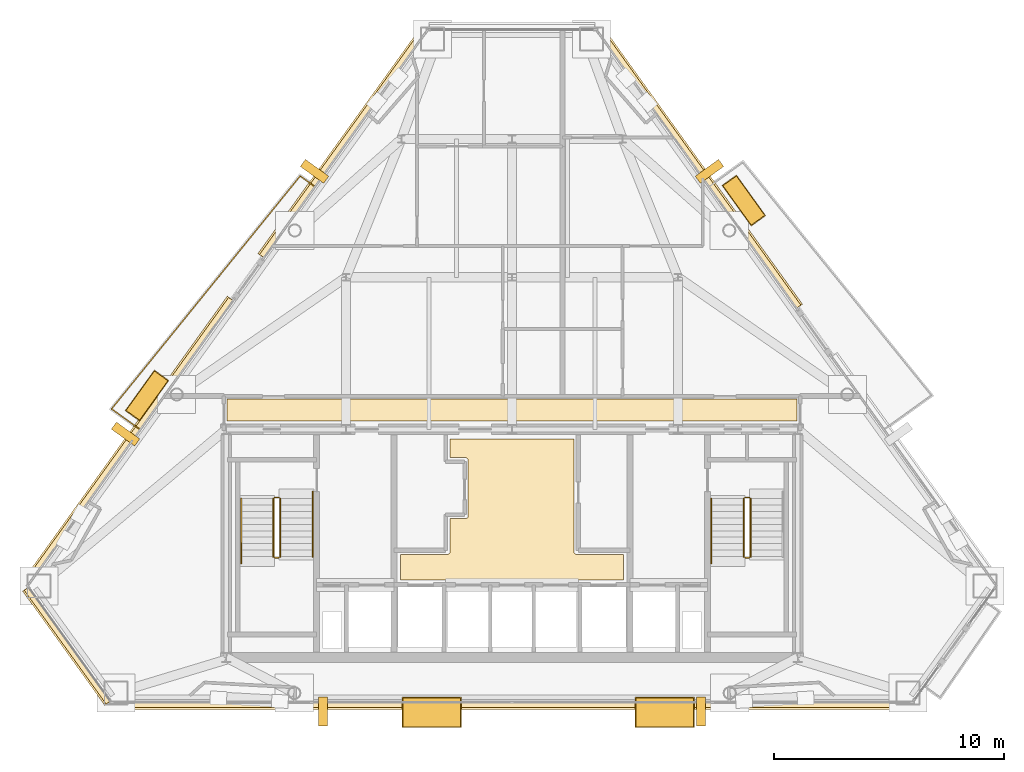
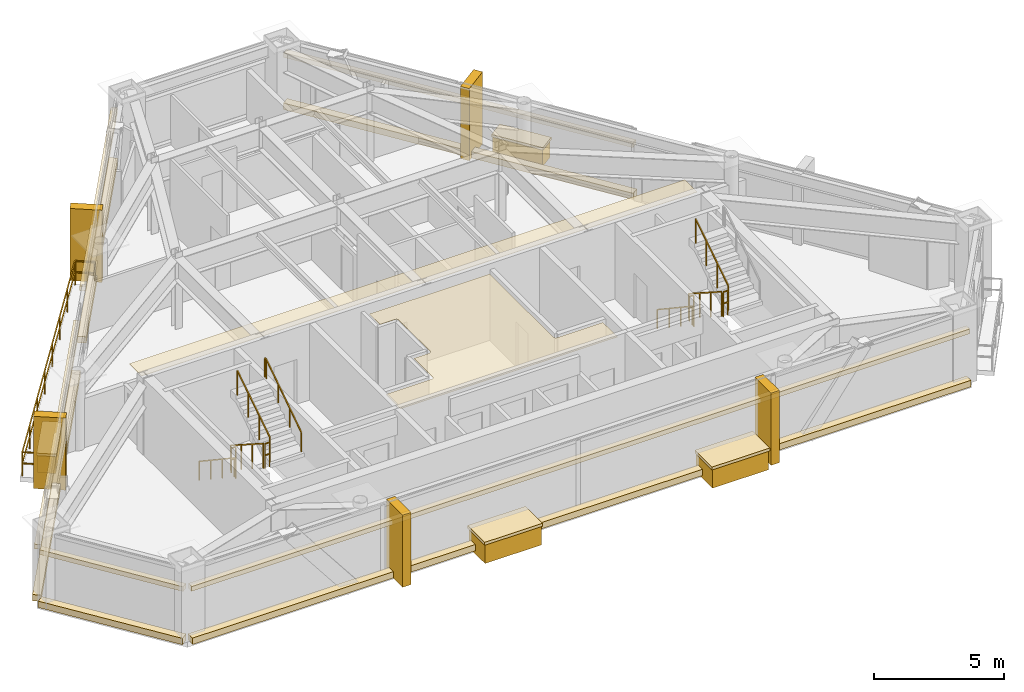
# One storey, part 10 of 11: 25 coverings, 12 railings.
"""IFC4 building model written with IfcOpenShell, lengths in metres."""

from ifc_helpers import new_model, si_unit, direction, frame, origin, origin_2d, place, context, subcontext, project, spatial, polyline, rectangle, outline, extrude, material, layer, layer_set, type_object, element, save


model = new_model("IFC4")

# Units and contexts
model_context = context("Model", 3, precision=1e-05, world=origin(), true_north=direction((0.0, 1.0)))
body_context = subcontext(model_context, "Body", "Model", "MODEL_VIEW")
ifc_project = project(units=[si_unit("LENGTHUNIT", "METRE"), si_unit("AREAUNIT", "SQUARE_METRE"), si_unit("VOLUMEUNIT", "CUBIC_METRE"), si_unit("PLANEANGLEUNIT", "RADIAN"), si_unit("MASSUNIT", "GRAM", prefix="KILO")], contexts=[model_context])

# Site, building, storey
site_placement = place(None, origin())
site = spatial("IfcSite", under=ifc_project, at=site_placement, CompositionType="ELEMENT")
building_placement = place(site_placement, origin())
building = spatial("IfcBuilding", under=site, at=building_placement, Name="Talgorran Terracotta Tower", CompositionType="ELEMENT")
storey_placement = place(building_placement, frame((0.0, 0.0, 200.10009765625)))
storey = spatial("IfcBuildingStorey", under=building, at=storey_placement, Name="L52", CompositionType="ELEMENT", Elevation=200.10009765625)

# Coverings
ifc_material_1 = material(Name="Kiln-Fired Terracotta Ochre Ceramic", Category="masonry")
ifc_layer_1 = layer(ifc_material_1, 0.179931640625, Name="COV_BAGUETTE_TERRACOTTA_SCREEN")
ifc_layer_set_1 = layer_set([ifc_layer_1], Name="Kiln-Fired Terracotta Ochre Ceramic")
covering_type_1 = type_object("IfcCoveringType", Name="COV_BAGUETTE_TERRACOTTA_SCREEN", PredefinedType="CLADDING", material=ifc_layer_set_1)
covering_1_placement = place(storey_placement, frame((-19.281982421875, -13.574951171875, 2.41015625), z_axis=(0.0, 0.0, 1.0), x_axis=(0.583980505394, -0.811767681864, 0.0)))
element("IfcCovering", 1, at=covering_1_placement, inside=storey, type_object=covering_type_1, Name="L52 Terracotta Baguette Solar Screen Assembly F0", PredefinedType="CLADDING", context=body_context, shape_type="SweptSolid", body=[
    extrude(rectangle(XDim=6.07958984375, YDim=0.260009765625, at=origin_2d()), origin(), (0.0, 0.0, 1.0), 0.219970703125),
])
covering_2_placement = place(storey_placement, frame((0.0, -16.14111328125, 2.41015625), z_axis=(0.0, 0.0, 1.0), x_axis=(1.0, 0.0, 0.0)))
element("IfcCovering", 2, at=covering_2_placement, inside=storey, type_object=covering_type_1, Name="L52 Terracotta Baguette Solar Screen Assembly F1", PredefinedType="CLADDING", context=body_context, shape_type="SweptSolid", body=[
    extrude(rectangle(XDim=34.62939453125, YDim=0.260009765625, at=origin_2d()), origin(), (0.0, 0.0, 1.0), 0.219970703125),
])
covering_3_placement = place(storey_placement, frame((8.115478515625, 7.112548828125, 2.41015625), z_axis=(0.0, 0.0, 1.0), x_axis=(-0.583980505394, 0.811767681864, 0.0)))
element("IfcCovering", 3, at=covering_3_placement, inside=storey, type_object=covering_type_1, Name="L52 Terracotta Baguette Solar Screen Assembly F41", PredefinedType="CLADDING", context=body_context, shape_type="SweptSolid", body=[
    extrude(rectangle(XDim=14.771240234375, YDim=0.260009765625, at=origin_2d()), origin(), (0.0, 0.0, 1.0), 0.219970703125),
])
covering_4_placement = place(storey_placement, frame((-7.324951171875, 8.21142578125, 2.41015625), z_axis=(0.0, 0.0, 1.0), x_axis=(-0.583980505394, -0.811767681864, 0.0)))
element("IfcCovering", 4, at=covering_4_placement, inside=storey, type_object=covering_type_1, Name="L52 Terracotta Baguette Solar Screen Assembly F60", PredefinedType="CLADDING", context=body_context, shape_type="SweptSolid", body=[
    extrude(rectangle(XDim=12.0634765625, YDim=0.260009765625, at=origin_2d()), origin(), (0.0, 0.0, 1.0), 0.219970703125),
])
covering_5_placement = place(storey_placement, frame((-16.6123046875, -4.6982421875, 2.41015625), z_axis=(0.0, 0.0, 1.0), x_axis=(-0.583980505394, -0.811767681864, 0.0)))
element("IfcCovering", 5, at=covering_5_placement, inside=storey, type_object=covering_type_1, Name="L52 Terracotta Baguette Solar Screen Assembly F61", PredefinedType="CLADDING", context=body_context, shape_type="SweptSolid", body=[
    extrude(rectangle(XDim=15.142822265625, YDim=0.260009765625, at=origin_2d()), origin(), (0.0, 0.0, 1.0), 0.219970703125),
])
ifc_material_2 = material(Name="Mineral Fibre Acoustic Tile")
ifc_layer_2 = layer(ifc_material_2, 0.02490234375, Name="COV_CEIL_ACOUSTIC")
ifc_layer_set_2 = layer_set([ifc_layer_2], Name="Mineral Fibre Acoustic Tile")
covering_type_2 = type_object("IfcCoveringType", Name="COV_CEIL_ACOUSTIC", PredefinedType="CEILING", material=ifc_layer_set_2)
covering_6_placement = place(storey_placement, frame((0.0, 0.0, 3.2548828125)))
element("IfcCovering", 6, at=covering_6_placement, inside=storey, type_object=covering_type_2, Name="CEIL-L52-2", PredefinedType="CEILING", context=body_context, shape_type="SweptSolid", body=[
    extrude(outline(polyline([(-12.364990234375, -2.885009765625), (12.364990234375, -2.885009765625), (12.364990234375, -3.830078125), (12.169921875, -3.830078125), (12.158203125, -3.83056640625), (12.146484375, -3.832275390625), (12.13525390625, -3.835205078125), (12.1240234375, -3.839111328125), (12.11328125, -3.84423828125), (12.112060546875, -3.844970703125), (7.432861328125, -3.844970703125), (6.968017578125, -3.843017578125), (6.967529296875, -3.843017578125), (0.232666015625, -3.844970703125), (-0.23193359375, -3.843017578125), (-0.232421875, -3.843017578125), (-6.96728515625, -3.844970703125), (-7.431884765625, -3.843017578125), (-7.4326171875, -3.843017578125), (-12.112060546875, -3.844970703125), (-12.11328125, -3.84423828125), (-12.1240234375, -3.839111328125), (-12.13525390625, -3.835205078125), (-12.146484375, -3.832275390625), (-12.158203125, -3.83056640625), (-12.169921875, -3.830078125), (-12.364990234375, -3.830078125), (-12.364990234375, -2.885009765625)])), origin(), (0.0, 0.0, 1.0), 0.02001953125),
])
ifc_material_3 = material(Name="Flush Moisture-Resistant Plaster")
ifc_layer_3 = layer(ifc_material_3, 0.01806640625, Name="COV_CEIL_PLASTER")
ifc_layer_set_3 = layer_set([ifc_layer_3], Name="Flush Moisture-Resistant Plaster")
covering_type_3 = type_object("IfcCoveringType", Name="COV_CEIL_PLASTER", PredefinedType="CEILING", material=ifc_layer_set_3)
covering_7_placement = place(storey_placement, frame((0.0, 0.0, 3.2548828125)))
element("IfcCovering", 7, at=covering_7_placement, inside=storey, type_object=covering_type_3, Name="CEIL-L52-1", PredefinedType="CEILING", context=body_context, shape_type="SweptSolid", body=[
    extrude(outline(polyline([(2.679931640625, -4.6201171875), (2.679931640625, -9.5), (2.6806640625, -9.51171875), (2.682373046875, -9.5234375), (2.685302734375, -9.534912109375), (2.689208984375, -9.5458984375), (2.694091796875, -9.556640625), (2.7001953125, -9.566650390625), (2.707275390625, -9.576171875), (2.715087890625, -9.5849609375), (2.723876953125, -9.5927734375), (2.7333984375, -9.599853515625), (2.743408203125, -9.605712890625), (2.754150390625, -9.61083984375), (2.76513671875, -9.61474609375), (2.776611328125, -9.61767578125), (2.7880859375, -9.619384765625), (2.800048828125, -9.6201171875), (4.830078125, -9.6201171875), (4.830078125, -10.72998046875), (-4.830078125, -10.72998046875), (-4.830078125, -9.6201171875), (-2.800048828125, -9.6201171875), (-2.7880859375, -9.619384765625), (-2.776611328125, -9.61767578125), (-2.76513671875, -9.61474609375), (-2.754150390625, -9.61083984375), (-2.743408203125, -9.605712890625), (-2.7333984375, -9.599853515625), (-2.723876953125, -9.5927734375), (-2.715087890625, -9.5849609375), (-2.707275390625, -9.576171875), (-2.7001953125, -9.566650390625), (-2.694091796875, -9.556640625), (-2.689208984375, -9.5458984375), (-2.685302734375, -9.534912109375), (-2.682373046875, -9.5234375), (-2.6806640625, -9.51171875), (-2.679931640625, -9.5), (-2.679931640625, -8.070068359375), (-2.02001953125, -8.070068359375), (-2.00830078125, -8.0693359375), (-1.99658203125, -8.067626953125), (-1.985107421875, -8.064697265625), (-1.97412109375, -8.060791015625), (-1.96337890625, -8.055908203125), (-1.953369140625, -8.0498046875), (-1.94384765625, -8.042724609375), (-1.93505859375, -8.034912109375), (-1.92724609375, -8.026123046875), (-1.920166015625, -8.0166015625), (-1.914306640625, -8.006591796875), (-1.9091796875, -7.995849609375), (-1.9052734375, -7.98486328125), (-1.90234375, -7.973388671875), (-1.900634765625, -7.9619140625), (-1.89990234375, -7.949951171875), (-1.89990234375, -5.550048828125), (-1.900634765625, -5.5380859375), (-1.90234375, -5.526611328125), (-1.9052734375, -5.51513671875), (-1.9091796875, -5.504150390625), (-1.914306640625, -5.493408203125), (-1.920166015625, -5.4833984375), (-1.92724609375, -5.473876953125), (-1.93505859375, -5.465087890625), (-1.94384765625, -5.457275390625), (-1.953369140625, -5.4501953125), (-1.96337890625, -5.444091796875), (-1.97412109375, -5.439208984375), (-1.985107421875, -5.435302734375), (-1.99658203125, -5.432373046875), (-2.00830078125, -5.4306640625), (-2.02001953125, -5.429931640625), (-2.679931640625, -5.429931640625), (-2.679931640625, -4.6201171875), (2.679931640625, -4.6201171875)])), origin(), (0.0, 0.0, 1.0), 0.02001953125),
])
ifc_material_4 = material(Name="Honed Limestone and Terracotta Planter", Category="masonry")
ifc_layer_4 = layer(ifc_material_4, 0.1201171875, Name="COV_PLANTER_BOX")
ifc_layer_set_4 = layer_set([ifc_layer_4], Name="Honed Limestone and Terracotta Planter")
covering_type_4 = type_object("IfcCoveringType", Name="COV_PLANTER_BOX", PredefinedType="CLADDING", material=ifc_layer_set_4)
for number, where, z_axis, x_axis, name in (
    (8, (6.629638671875, -16.481201171875, -0.18017578125), (0.0, 0.0, 1.0), (1.0, 0.0, 0.0), "L52 Staggered South Facade Planter Box 1"),
    (9, (-3.4892578125, -16.481201171875, -0.18017578125), (0.0, 0.0, 1.0), (1.0, 0.0, 0.0), "L52 Staggered South Facade Planter Box 2"),
):
    element("IfcCovering", number, at=place(storey_placement, frame(where, z_axis=z_axis, x_axis=x_axis)), inside=storey, type_object=covering_type_4, Name=name, PredefinedType="CLADDING", context=body_context, shape_type="SweptSolid", body=[
        extrude(rectangle(XDim=2.5, YDim=1.25, at=origin_2d()), origin(), (0.0, 0.0, 1.0), 0.919921875),
    ])
for number, where, z_axis, x_axis, name in (
    (10, (10.05908203125, 5.7294921875, -0.02001953125), (0.0, 0.0, 1.0), (-0.583980505394, 0.811767681864, 0.0), "L52 Staggered Balcony Planter Box BAL-NE"),
    (11, (-15.838134765625, -2.7333984375, -0.02001953125), (0.0, 0.0, 1.0), (-0.583980505394, -0.811767681864, 0.0), "L52 Staggered Balcony Planter Box BAL-NW"),
):
    element("IfcCovering", number, at=place(storey_placement, frame(where, z_axis=z_axis, x_axis=x_axis)), inside=storey, type_object=covering_type_4, Name=name, PredefinedType="CLADDING", context=body_context, shape_type="SweptSolid", body=[
        extrude(rectangle(XDim=2.10009765625, YDim=0.719970703125, at=origin_2d()), origin(), (0.0, 0.0, 1.0), 0.860107421875),
    ])
ifc_material_5 = material(Name="Kiln-Fired Terracotta Planter Rim", Category="masonry")
ifc_layer_5 = layer(ifc_material_5, 0.10009765625, Name="COV_PLANTER_RIM")
ifc_layer_set_5 = layer_set([ifc_layer_5], Name="Kiln-Fired Terracotta Planter Rim")
covering_type_5 = type_object("IfcCoveringType", Name="COV_PLANTER_RIM", PredefinedType="CLADDING", material=ifc_layer_set_5)
for number, where, z_axis, x_axis, name in (
    (12, (6.629638671875, -16.481201171875, 0.7099609375), (0.0, 0.0, 1.0), (1.0, 0.0, 0.0), "L52 South Planter Terracotta Rim 1"),
    (13, (-3.4892578125, -16.481201171875, 0.7099609375), (0.0, 0.0, 1.0), (1.0, 0.0, 0.0), "L52 South Planter Terracotta Rim 2"),
):
    element("IfcCovering", number, at=place(storey_placement, frame(where, z_axis=z_axis, x_axis=x_axis)), inside=storey, type_object=covering_type_5, Name=name, PredefinedType="CLADDING", context=body_context, shape_type="SweptSolid", body=[
        extrude(rectangle(XDim=2.580078125, YDim=1.320068359375, at=origin_2d()), origin(), (0.0, 0.0, 1.0), 0.139892578125),
    ])
for number, where, z_axis, x_axis, name in (
    (14, (10.05908203125, 5.7294921875, 0.7998046875), (0.0, 0.0, 1.0), (-0.583980505394, 0.811767681864, 0.0), "L52 Balcony Planter Terracotta Rim BAL-NE"),
    (15, (-15.838134765625, -2.7333984375, 0.7998046875), (0.0, 0.0, 1.0), (-0.583980505394, -0.811767681864, 0.0), "L52 Balcony Planter Terracotta Rim BAL-NW"),
):
    element("IfcCovering", number, at=place(storey_placement, frame(where, z_axis=z_axis, x_axis=x_axis)), inside=storey, type_object=covering_type_5, Name=name, PredefinedType="CLADDING", context=body_context, shape_type="SweptSolid", body=[
        extrude(rectangle(XDim=2.179931640625, YDim=0.780029296875, at=origin_2d()), origin(), (0.0, 0.0, 1.0), 0.1201171875),
    ])
ifc_material_6 = material(Name="Honed Limestone Cladding", Category="masonry")
ifc_layer_6 = layer(ifc_material_6, 0.094970703125, Name="COV_PORTAL_LIME")
ifc_layer_set_6 = layer_set([ifc_layer_6], Name="Honed Limestone Cladding")
covering_type_6 = type_object("IfcCoveringType", Name="COV_PORTAL_LIME", PredefinedType="CLADDING", material=ifc_layer_set_6)
covering_8_placement = place(storey_placement, frame((-19.314453125, -13.598388671875, -0.0400390625), z_axis=(0.0, 0.0, 1.0), x_axis=(0.583980505394, -0.811767681864, 0.0)))
element("IfcCovering", 16, at=covering_8_placement, inside=storey, type_object=covering_type_6, Name="L52 Striped Postmodern Portal Cladding Band F0", PredefinedType="CLADDING", context=body_context, shape_type="SweptSolid", body=[
    extrude(rectangle(XDim=6.099609375, YDim=0.340087890625, at=origin_2d()), origin(), (0.0, 0.0, 1.0), 0.300048828125),
])
covering_9_placement = place(storey_placement, frame((0.0, -16.18115234375, -0.0400390625), z_axis=(0.0, 0.0, 1.0), x_axis=(1.0, 0.0, 0.0)))
element("IfcCovering", 17, at=covering_9_placement, inside=storey, type_object=covering_type_6, Name="L52 Striped Postmodern Portal Cladding Band F1", PredefinedType="CLADDING", context=body_context, shape_type="SweptSolid", body=[
    extrude(rectangle(XDim=34.6494140625, YDim=0.340087890625, at=origin_2d()), origin(), (0.0, 0.0, 1.0), 0.300048828125),
])
covering_10_placement = place(storey_placement, frame((8.148193359375, 7.135986328125, -0.0400390625), z_axis=(0.0, 0.0, 1.0), x_axis=(-0.583980505394, 0.811767681864, 0.0)))
element("IfcCovering", 18, at=covering_10_placement, inside=storey, type_object=covering_type_6, Name="L52 Striped Postmodern Portal Cladding Band F41", PredefinedType="CLADDING", context=body_context, shape_type="SweptSolid", body=[
    extrude(rectangle(XDim=14.791259765625, YDim=0.340087890625, at=origin_2d()), origin(), (0.0, 0.0, 1.0), 0.300048828125),
])
covering_11_placement = place(storey_placement, frame((-7.357421875, 8.23486328125, -0.0400390625), z_axis=(0.0, 0.0, 1.0), x_axis=(-0.583980505394, -0.811767681864, 0.0)))
element("IfcCovering", 19, at=covering_11_placement, inside=storey, type_object=covering_type_6, Name="L52 Striped Postmodern Portal Cladding Band F60", PredefinedType="CLADDING", context=body_context, shape_type="SweptSolid", body=[
    extrude(rectangle(XDim=12.08349609375, YDim=0.340087890625, at=origin_2d()), origin(), (0.0, 0.0, 1.0), 0.300048828125),
])
covering_12_placement = place(storey_placement, frame((-16.644775390625, -4.6748046875, -0.0400390625), z_axis=(0.0, 0.0, 1.0), x_axis=(-0.583980505394, -0.811767681864, 0.0)))
element("IfcCovering", 20, at=covering_12_placement, inside=storey, type_object=covering_type_6, Name="L52 Striped Postmodern Portal Cladding Band F61", PredefinedType="CLADDING", context=body_context, shape_type="SweptSolid", body=[
    extrude(rectangle(XDim=15.162841796875, YDim=0.340087890625, at=origin_2d()), origin(), (0.0, 0.0, 1.0), 0.300048828125),
])
for number, where, z_axis, x_axis, name in (
    (21, (8.19970703125, -16.441162109375, -0.050048828125), (0.0, 0.0, 1.0), (1.0, 0.0, 0.0), "L52 White Striped Portal Fin F1-2"),
    (22, (8.569091796875, 6.995849609375, -0.050048828125), (0.0, 0.0, 1.0), (-0.583980505394, 0.811767681864, 0.0), "L52 White Striped Portal Fin F3-2"),
    (23, (-16.768798828125, -4.402099609375, -0.050048828125), (0.0, 0.0, 1.0), (-0.583980505394, -0.811767681864, 0.0), "L52 White Striped Portal Fin F5-2"),
):
    element("IfcCovering", number, at=place(storey_placement, frame(where, z_axis=z_axis, x_axis=x_axis)), inside=storey, type_object=covering_type_6, Name=name, PredefinedType="CLADDING", context=body_context, shape_type="SweptSolid", body=[
        extrude(rectangle(XDim=0.3798828125, YDim=1.25, at=origin_2d()), origin(), (0.0, 0.0, 1.0), 3.39501953125),
    ])
ifc_material_7 = material(Name="Kiln-Fired Terracotta Cladding", Category="masonry")
ifc_layer_7 = layer(ifc_material_7, 0.090087890625, Name="COV_PORTAL_TERRA")
ifc_layer_set_7 = layer_set([ifc_layer_7], Name="Kiln-Fired Terracotta Cladding")
covering_type_7 = type_object("IfcCoveringType", Name="COV_PORTAL_TERRA", PredefinedType="CLADDING", material=ifc_layer_set_7)
for number, where, z_axis, x_axis, name in (
    (24, (-8.19970703125, -16.441162109375, -0.050048828125), (0.0, 0.0, 1.0), (1.0, 0.0, 0.0), "L52 Terracotta Striped Portal Fin F1-1"),
    (25, (-8.569091796875, 6.995849609375, -0.050048828125), (0.0, 0.0, 1.0), (-0.583980505394, -0.811767681864, 0.0), "L52 Terracotta Striped Portal Fin F5-1"),
):
    element("IfcCovering", number, at=place(storey_placement, frame(where, z_axis=z_axis, x_axis=x_axis)), inside=storey, type_object=covering_type_7, Name=name, PredefinedType="CLADDING", context=body_context, shape_type="SweptSolid", body=[
        extrude(rectangle(XDim=0.3798828125, YDim=1.25, at=origin_2d()), origin(), (0.0, 0.0, 1.0), 3.39501953125),
    ])

# Railings
ifc_material_8 = material(Name="Laminated Glass and Stainless Steel 316", Category="steel")
railing_type_1 = type_object("IfcRailingType", Name="RL_BALCONY_1150", PredefinedType="BALUSTRADE", material=ifc_material_8)
railing_1_placement = place(storey_placement, frame((-8.569091796875, 6.34521484375, 0.0)))
element("IfcRailing", 26, at=railing_1_placement, inside=storey, type_object=railing_type_1, Name="RL-L52-BAL-BAL-NW", PredefinedType="BALUSTRADE", context=body_context, shape_type="SweptSolid", body=[
    extrude(rectangle(XDim=0.048095703125, YDim=0.048095703125, at=origin_2d()), frame((0.0, 0.0, 1.1259765625), z_axis=(-0.811733074462, 0.584028608738, 0.0), x_axis=(-0.584028608738, -0.811733074462, 0.0)), (0.0, 0.0, 1.0), 0.768798828125),
    extrude(rectangle(XDim=0.048095703125, YDim=0.048095703125, at=origin_2d()), frame((0.0, 0.0, 0.597900390625), z_axis=(-0.811733074462, 0.584028608738, 0.0), x_axis=(-0.584028608738, -0.811733074462, 0.0)), (0.0, 0.0, 1.0), 0.768798828125),
    extrude(rectangle(XDim=0.048095703125, YDim=0.048095703125, at=origin_2d()), frame((-0.6240234375, 0.448974609375, 1.1259765625), z_axis=(-0.62925816702, -0.777196345359, 0.0), x_axis=(0.777196345359, -0.62925816702, 0.0)), (0.0, 0.0, 1.0), 13.005859375),
    extrude(rectangle(XDim=0.048095703125, YDim=0.048095703125, at=origin_2d()), frame((-0.6240234375, 0.448974609375, 0.597900390625), z_axis=(-0.62925816702, -0.777196345359, 0.0), x_axis=(0.777196345359, -0.62925816702, 0.0)), (0.0, 0.0, 1.0), 13.005859375),
    extrude(rectangle(XDim=0.048095703125, YDim=0.048095703125, at=origin_2d()), frame((-8.80810546875, -9.6591796875, 1.1259765625), z_axis=(0.811816497319, -0.583912643021, 0.0), x_axis=(0.583912643021, 0.811816497319, 0.0)), (0.0, 0.0, 1.0), 1.50927734375),
    extrude(rectangle(XDim=0.048095703125, YDim=0.048095703125, at=origin_2d()), frame((-8.80810546875, -9.6591796875, 0.597900390625), z_axis=(0.811816497319, -0.583912643021, 0.0), x_axis=(0.583912643021, 0.811816497319, 0.0)), (0.0, 0.0, 1.0), 1.50927734375),
    extrude(rectangle(XDim=0.0419921875, YDim=0.0419921875, at=origin_2d()), origin(), (0.0, 0.0, 1.0), 1.101806640625),
    extrude(rectangle(XDim=0.0419921875, YDim=0.0419921875, at=origin_2d()), frame((-0.6240234375, 0.448974609375, 0.0)), (0.0, 0.0, 1.0), 1.101806640625),
    extrude(rectangle(XDim=0.0419921875, YDim=0.0419921875, at=origin_2d()), frame((-1.793212890625, -0.9951171875, 0.0)), (0.0, 0.0, 1.0), 1.101806640625),
    extrude(rectangle(XDim=0.0419921875, YDim=0.0419921875, at=origin_2d()), frame((-2.96240234375, -2.43896484375, 0.0)), (0.0, 0.0, 1.0), 1.101806640625),
    extrude(rectangle(XDim=0.0419921875, YDim=0.0419921875, at=origin_2d()), frame((-4.131591796875, -3.883056640625, 0.0)), (0.0, 0.0, 1.0), 1.101806640625),
    extrude(rectangle(XDim=0.0419921875, YDim=0.0419921875, at=origin_2d()), frame((-5.300537109375, -5.3271484375, 0.0)), (0.0, 0.0, 1.0), 1.101806640625),
    extrude(rectangle(XDim=0.0419921875, YDim=0.0419921875, at=origin_2d()), frame((-6.4697265625, -6.771240234375, 0.0)), (0.0, 0.0, 1.0), 1.101806640625),
    extrude(rectangle(XDim=0.0419921875, YDim=0.0419921875, at=origin_2d()), frame((-7.638916015625, -8.215087890625, 0.0)), (0.0, 0.0, 1.0), 1.101806640625),
    extrude(rectangle(XDim=0.0419921875, YDim=0.0419921875, at=origin_2d()), frame((-8.80810546875, -9.6591796875, 0.0)), (0.0, 0.0, 1.0), 1.101806640625),
    extrude(rectangle(XDim=0.0419921875, YDim=0.0419921875, at=origin_2d()), frame((-7.582763671875, -10.54052734375, 0.0)), (0.0, 0.0, 1.0), 1.101806640625),
])
ifc_material_9 = material(Name="Steel S355 (300PLUS)", Category="steel")
railing_type_2 = type_object("IfcRailingType", Name="RL_HANDRAIL_920", PredefinedType="HANDRAIL", material=ifc_material_9)
railing_2_placement = place(storey_placement, frame((-11.75, -7.199951171875, 0.179931640625)))
element("IfcRailing", 27, at=railing_2_placement, inside=storey, type_object=railing_type_2, Name="L52 ST-01 stair handrail 1", PredefinedType="HANDRAIL", context=body_context, shape_type="SweptSolid", body=[
    extrude(rectangle(XDim=0.048095703125, YDim=0.048095703125, at=origin_2d()), frame((0.0, 0.0, 0.89599609375), z_axis=(0.0, -0.832038719335, 0.554717558338), x_axis=(1.0, 0.0, 0.0)), (0.0, 0.0, 1.0), 3.244873046875),
    extrude(rectangle(XDim=0.048095703125, YDim=0.048095703125, at=origin_2d()), frame((0.0, -2.699951171875, 2.69580078125), z_axis=(0.0, -1.0, 0.0), x_axis=(1.0, 0.0, 0.0)), (0.0, 0.0, 1.0), 0.1201171875),
    extrude(rectangle(XDim=0.0419921875, YDim=0.0419921875, at=origin_2d()), origin(), (0.0, 0.0, 1.0), 0.871826171875),
    extrude(rectangle(XDim=0.0419921875, YDim=0.0419921875, at=origin_2d()), frame((0.0, -0.89990234375, 0.60009765625)), (0.0, 0.0, 1.0), 0.871826171875),
    extrude(rectangle(XDim=0.0419921875, YDim=0.0419921875, at=origin_2d()), frame((0.0, -1.800048828125, 1.199951171875)), (0.0, 0.0, 1.0), 0.871826171875),
    extrude(rectangle(XDim=0.0419921875, YDim=0.0419921875, at=origin_2d()), frame((0.0, -2.699951171875, 1.800048828125)), (0.0, 0.0, 1.0), 0.871826171875),
    extrude(rectangle(XDim=0.0419921875, YDim=0.0419921875, at=origin_2d()), frame((0.0, -2.820068359375, 1.800048828125)), (0.0, 0.0, 1.0), 0.871826171875),
])
railing_3_placement = place(storey_placement, frame((-8.64990234375, -9.719970703125, 1.97998046875)))
element("IfcRailing", 28, at=railing_3_placement, inside=storey, type_object=railing_type_2, Name="L52 ST-01 stair handrail 2", PredefinedType="HANDRAIL", context=body_context, shape_type="SweptSolid", body=[
    extrude(rectangle(XDim=0.048095703125, YDim=0.048095703125, at=origin_2d()), frame((0.0, 0.0, 0.89599609375), z_axis=(0.0, 0.832073444223, 0.554665469827), x_axis=(-1.0, 0.0, 0.0)), (0.0, 0.0, 1.0), 3.244873046875),
    extrude(rectangle(XDim=0.048095703125, YDim=0.048095703125, at=origin_2d()), frame((0.0, 2.699951171875, 2.69580078125), z_axis=(0.0, 1.0, 0.0), x_axis=(-1.0, 0.0, 0.0)), (0.0, 0.0, 1.0), 0.1201171875),
    extrude(rectangle(XDim=0.0419921875, YDim=0.0419921875, at=origin_2d()), origin(), (0.0, 0.0, 1.0), 0.871826171875),
    extrude(rectangle(XDim=0.0419921875, YDim=0.0419921875, at=origin_2d()), frame((0.0, 0.89990234375, 0.599853515625)), (0.0, 0.0, 1.0), 0.871826171875),
    extrude(rectangle(XDim=0.0419921875, YDim=0.0419921875, at=origin_2d()), frame((0.0, 1.800048828125, 1.199951171875)), (0.0, 0.0, 1.0), 0.871826171875),
    extrude(rectangle(XDim=0.0419921875, YDim=0.0419921875, at=origin_2d()), frame((0.0, 2.699951171875, 1.7998046875)), (0.0, 0.0, 1.0), 0.871826171875),
    extrude(rectangle(XDim=0.0419921875, YDim=0.0419921875, at=origin_2d()), frame((0.0, 2.820068359375, 1.7998046875)), (0.0, 0.0, 1.0), 0.871826171875),
])
railing_4_placement = place(storey_placement, frame((8.64990234375, -7.199951171875, 0.179931640625)))
element("IfcRailing", 29, at=railing_4_placement, inside=storey, type_object=railing_type_2, Name="L52 ST-02 stair handrail 1", PredefinedType="HANDRAIL", context=body_context, shape_type="SweptSolid", body=[
    extrude(rectangle(XDim=0.048095703125, YDim=0.048095703125, at=origin_2d()), frame((0.0, 0.0, 0.89599609375), z_axis=(0.0, -0.832038719335, 0.554717558338), x_axis=(1.0, 0.0, 0.0)), (0.0, 0.0, 1.0), 3.244873046875),
    extrude(rectangle(XDim=0.048095703125, YDim=0.048095703125, at=origin_2d()), frame((0.0, -2.699951171875, 2.69580078125), z_axis=(0.0, -1.0, 0.0), x_axis=(1.0, 0.0, 0.0)), (0.0, 0.0, 1.0), 0.1201171875),
    extrude(rectangle(XDim=0.0419921875, YDim=0.0419921875, at=origin_2d()), origin(), (0.0, 0.0, 1.0), 0.871826171875),
    extrude(rectangle(XDim=0.0419921875, YDim=0.0419921875, at=origin_2d()), frame((0.0, -0.89990234375, 0.60009765625)), (0.0, 0.0, 1.0), 0.871826171875),
    extrude(rectangle(XDim=0.0419921875, YDim=0.0419921875, at=origin_2d()), frame((0.0, -1.800048828125, 1.199951171875)), (0.0, 0.0, 1.0), 0.871826171875),
    extrude(rectangle(XDim=0.0419921875, YDim=0.0419921875, at=origin_2d()), frame((0.0, -2.699951171875, 1.800048828125)), (0.0, 0.0, 1.0), 0.871826171875),
    extrude(rectangle(XDim=0.0419921875, YDim=0.0419921875, at=origin_2d()), frame((0.0, -2.820068359375, 1.800048828125)), (0.0, 0.0, 1.0), 0.871826171875),
])
railing_type_3 = type_object("IfcRailingType", Name="RL_STAIR_GUARD", PredefinedType="GUARDRAIL", material=ifc_material_9)
railing_5_placement = place(storey_placement, frame((-10.35009765625, -7.199951171875, 0.179931640625)))
element("IfcRailing", 30, at=railing_5_placement, inside=storey, type_object=railing_type_3, Name="L52 ST-01 stair guard 1", PredefinedType="GUARDRAIL", context=body_context, shape_type="SweptSolid", body=[
    extrude(rectangle(XDim=0.048095703125, YDim=0.048095703125, at=origin_2d()), frame((0.0, 0.0, 1.15576171875), z_axis=(0.0, -0.841199657755, 0.540724639528), x_axis=(1.0, 0.0, 0.0)), (0.0, 0.0, 1.0), 2.995849609375),
    extrude(rectangle(XDim=0.0419921875, YDim=0.0419921875, at=origin_2d()), origin(), (0.0, 0.0, 1.0), 1.1318359375),
    extrude(rectangle(XDim=0.0419921875, YDim=0.0419921875, at=origin_2d()), frame((0.0, -0.840087890625, 0.5400390625)), (0.0, 0.0, 1.0), 1.1318359375),
    extrude(rectangle(XDim=0.0419921875, YDim=0.0419921875, at=origin_2d()), frame((0.0, -1.679931640625, 1.079833984375)), (0.0, 0.0, 1.0), 1.1318359375),
    extrude(rectangle(XDim=0.0419921875, YDim=0.0419921875, at=origin_2d()), frame((0.0, -2.52001953125, 1.619873046875)), (0.0, 0.0, 1.0), 1.1318359375),
])
railing_6_placement = place(storey_placement, frame((-10.300048828125, -9.77001953125, 1.7998046875)))
element("IfcRailing", 31, at=railing_6_placement, inside=storey, type_object=railing_type_3, Name="L52 ST-01 stair guard 2", PredefinedType="GUARDRAIL", context=body_context, shape_type="SweptSolid", body=[
    extrude(rectangle(XDim=0.048095703125, YDim=0.048095703125, at=origin_2d()), frame((0.0, 0.0, 1.15576171875), z_axis=(1.0, 0.0, 0.0), x_axis=(0.0, 1.0, 0.0)), (0.0, 0.0, 1.0), 0.199951171875),
    extrude(rectangle(XDim=0.048095703125, YDim=0.048095703125, at=origin_2d()), frame((0.0, 0.0, 0.613525390625), z_axis=(1.0, 0.0, 0.0), x_axis=(0.0, 1.0, 0.0)), (0.0, 0.0, 1.0), 0.199951171875),
    extrude(rectangle(XDim=0.0419921875, YDim=0.0419921875, at=origin_2d()), origin(), (0.0, 0.0, 1.0), 1.1318359375),
    extrude(rectangle(XDim=0.0419921875, YDim=0.0419921875, at=origin_2d()), frame((0.199951171875, 0.0, 0.0)), (0.0, 0.0, 1.0), 1.1318359375),
])
railing_7_placement = place(storey_placement, frame((-10.050048828125, -9.719970703125, 1.97998046875)))
element("IfcRailing", 32, at=railing_7_placement, inside=storey, type_object=railing_type_3, Name="L52 ST-01 stair guard 3", PredefinedType="GUARDRAIL", context=body_context, shape_type="SweptSolid", body=[
    extrude(rectangle(XDim=0.048095703125, YDim=0.048095703125, at=origin_2d()), frame((0.0, 0.0, 1.15576171875), z_axis=(0.0, 0.841199657755, 0.540724639528), x_axis=(-1.0, 0.0, 0.0)), (0.0, 0.0, 1.0), 2.995849609375),
    extrude(rectangle(XDim=0.0419921875, YDim=0.0419921875, at=origin_2d()), origin(), (0.0, 0.0, 1.0), 1.1318359375),
    extrude(rectangle(XDim=0.0419921875, YDim=0.0419921875, at=origin_2d()), frame((0.0, 0.840087890625, 0.5400390625)), (0.0, 0.0, 1.0), 1.1318359375),
    extrude(rectangle(XDim=0.0419921875, YDim=0.0419921875, at=origin_2d()), frame((0.0, 1.679931640625, 1.079833984375)), (0.0, 0.0, 1.0), 1.1318359375),
    extrude(rectangle(XDim=0.0419921875, YDim=0.0419921875, at=origin_2d()), frame((0.0, 2.52001953125, 1.619873046875)), (0.0, 0.0, 1.0), 1.1318359375),
])
railing_8_placement = place(storey_placement, frame((-10.300048828125, -7.14990234375, 0.0)))
element("IfcRailing", 33, at=railing_8_placement, inside=storey, type_object=railing_type_3, Name="L52 ST-01 stair guard 4", PredefinedType="GUARDRAIL", context=body_context, shape_type="SweptSolid", body=[
    extrude(rectangle(XDim=0.048095703125, YDim=0.048095703125, at=origin_2d()), frame((0.0, 0.0, 1.15576171875), z_axis=(1.0, 0.0, 0.0), x_axis=(0.0, 1.0, 0.0)), (0.0, 0.0, 1.0), 0.199951171875),
    extrude(rectangle(XDim=0.048095703125, YDim=0.048095703125, at=origin_2d()), frame((0.0, 0.0, 0.613525390625), z_axis=(1.0, 0.0, 0.0), x_axis=(0.0, 1.0, 0.0)), (0.0, 0.0, 1.0), 0.199951171875),
    extrude(rectangle(XDim=0.0419921875, YDim=0.0419921875, at=origin_2d()), origin(), (0.0, 0.0, 1.0), 1.1318359375),
    extrude(rectangle(XDim=0.0419921875, YDim=0.0419921875, at=origin_2d()), frame((0.199951171875, 0.0, 0.0)), (0.0, 0.0, 1.0), 1.1318359375),
])
railing_9_placement = place(storey_placement, frame((10.050048828125, -7.199951171875, 0.179931640625)))
element("IfcRailing", 34, at=railing_9_placement, inside=storey, type_object=railing_type_3, Name="L52 ST-02 stair guard 1", PredefinedType="GUARDRAIL", context=body_context, shape_type="SweptSolid", body=[
    extrude(rectangle(XDim=0.048095703125, YDim=0.048095703125, at=origin_2d()), frame((0.0, 0.0, 1.15576171875), z_axis=(0.0, -0.841199657755, 0.540724639528), x_axis=(1.0, 0.0, 0.0)), (0.0, 0.0, 1.0), 2.995849609375),
    extrude(rectangle(XDim=0.0419921875, YDim=0.0419921875, at=origin_2d()), origin(), (0.0, 0.0, 1.0), 1.1318359375),
    extrude(rectangle(XDim=0.0419921875, YDim=0.0419921875, at=origin_2d()), frame((0.0, -0.840087890625, 0.5400390625)), (0.0, 0.0, 1.0), 1.1318359375),
    extrude(rectangle(XDim=0.0419921875, YDim=0.0419921875, at=origin_2d()), frame((0.0, -1.679931640625, 1.079833984375)), (0.0, 0.0, 1.0), 1.1318359375),
    extrude(rectangle(XDim=0.0419921875, YDim=0.0419921875, at=origin_2d()), frame((0.0, -2.52001953125, 1.619873046875)), (0.0, 0.0, 1.0), 1.1318359375),
])
railing_10_placement = place(storey_placement, frame((10.10009765625, -9.77001953125, 1.7998046875)))
element("IfcRailing", 35, at=railing_10_placement, inside=storey, type_object=railing_type_3, Name="L52 ST-02 stair guard 2", PredefinedType="GUARDRAIL", context=body_context, shape_type="SweptSolid", body=[
    extrude(rectangle(XDim=0.048095703125, YDim=0.048095703125, at=origin_2d()), frame((0.0, 0.0, 1.15576171875), z_axis=(1.0, 0.0, 0.0), x_axis=(0.0, 1.0, 0.0)), (0.0, 0.0, 1.0), 0.199951171875),
    extrude(rectangle(XDim=0.048095703125, YDim=0.048095703125, at=origin_2d()), frame((0.0, 0.0, 0.613525390625), z_axis=(1.0, 0.0, 0.0), x_axis=(0.0, 1.0, 0.0)), (0.0, 0.0, 1.0), 0.199951171875),
    extrude(rectangle(XDim=0.0419921875, YDim=0.0419921875, at=origin_2d()), origin(), (0.0, 0.0, 1.0), 1.1318359375),
    extrude(rectangle(XDim=0.0419921875, YDim=0.0419921875, at=origin_2d()), frame((0.199951171875, 0.0, 0.0)), (0.0, 0.0, 1.0), 1.1318359375),
])
railing_11_placement = place(storey_placement, frame((10.35009765625, -9.719970703125, 1.97998046875)))
element("IfcRailing", 36, at=railing_11_placement, inside=storey, type_object=railing_type_3, Name="L52 ST-02 stair guard 3", PredefinedType="GUARDRAIL", context=body_context, shape_type="SweptSolid", body=[
    extrude(rectangle(XDim=0.048095703125, YDim=0.048095703125, at=origin_2d()), frame((0.0, 0.0, 1.15576171875), z_axis=(0.0, 0.841199657755, 0.540724639528), x_axis=(-1.0, 0.0, 0.0)), (0.0, 0.0, 1.0), 2.995849609375),
    extrude(rectangle(XDim=0.0419921875, YDim=0.0419921875, at=origin_2d()), origin(), (0.0, 0.0, 1.0), 1.1318359375),
    extrude(rectangle(XDim=0.0419921875, YDim=0.0419921875, at=origin_2d()), frame((0.0, 0.840087890625, 0.5400390625)), (0.0, 0.0, 1.0), 1.1318359375),
    extrude(rectangle(XDim=0.0419921875, YDim=0.0419921875, at=origin_2d()), frame((0.0, 1.679931640625, 1.079833984375)), (0.0, 0.0, 1.0), 1.1318359375),
    extrude(rectangle(XDim=0.0419921875, YDim=0.0419921875, at=origin_2d()), frame((0.0, 2.52001953125, 1.619873046875)), (0.0, 0.0, 1.0), 1.1318359375),
])
railing_12_placement = place(storey_placement, frame((10.10009765625, -7.14990234375, 0.0)))
element("IfcRailing", 37, at=railing_12_placement, inside=storey, type_object=railing_type_3, Name="L52 ST-02 stair guard 4", PredefinedType="GUARDRAIL", context=body_context, shape_type="SweptSolid", body=[
    extrude(rectangle(XDim=0.048095703125, YDim=0.048095703125, at=origin_2d()), frame((0.0, 0.0, 1.15576171875), z_axis=(1.0, 0.0, 0.0), x_axis=(0.0, 1.0, 0.0)), (0.0, 0.0, 1.0), 0.199951171875),
    extrude(rectangle(XDim=0.048095703125, YDim=0.048095703125, at=origin_2d()), frame((0.0, 0.0, 0.613525390625), z_axis=(1.0, 0.0, 0.0), x_axis=(0.0, 1.0, 0.0)), (0.0, 0.0, 1.0), 0.199951171875),
    extrude(rectangle(XDim=0.0419921875, YDim=0.0419921875, at=origin_2d()), origin(), (0.0, 0.0, 1.0), 1.1318359375),
    extrude(rectangle(XDim=0.0419921875, YDim=0.0419921875, at=origin_2d()), frame((0.199951171875, 0.0, 0.0)), (0.0, 0.0, 1.0), 1.1318359375),
])

save(model, "model.ifc")
